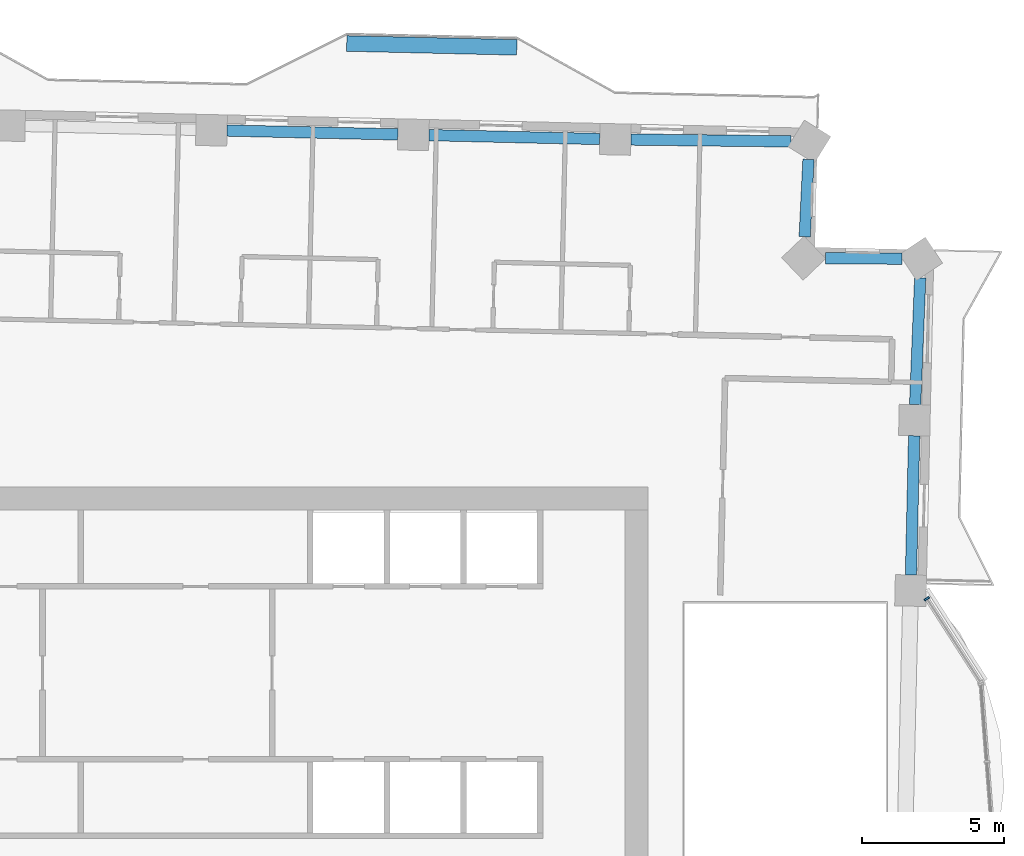
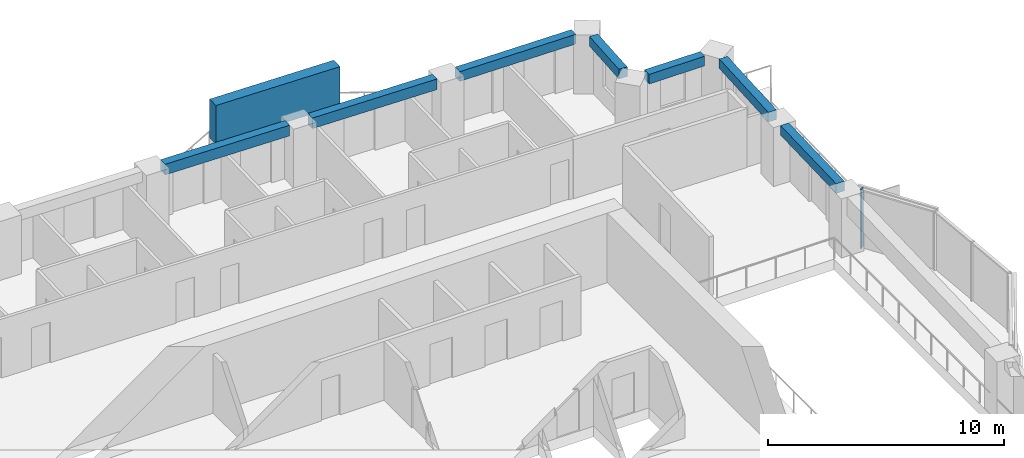
# One storey, part 4 of 16: 7 beams, 2 members, 1 element without a shape of its own.
"""IFC4 building model written with IfcOpenShell, lengths in metres."""

from ifc_helpers import new_model, si_unit, direction, frame, origin, origin_2d, place, context, subcontext, project, spatial, rectangle, extrude, material, material_profile, profile_set, type_object, element, aggregate, save


model = new_model("IFC4")

# Units and contexts
model_context = context("Model", 3, precision=1e-05, world=origin(), true_north=direction((0.0, 1.0)))
body_context = subcontext(model_context, "Body", "Model", "MODEL_VIEW")
ifc_project = project(units=[si_unit("LENGTHUNIT", "METRE"), si_unit("AREAUNIT", "SQUARE_METRE"), si_unit("VOLUMEUNIT", "CUBIC_METRE"), si_unit("PLANEANGLEUNIT", "RADIAN"), si_unit("MASSUNIT", "GRAM", prefix="KILO")], contexts=[model_context])

# Site, building, storey
site_placement = place(None, origin())
site = spatial("IfcSite", under=ifc_project, at=site_placement, CompositionType="ELEMENT")
building_placement = place(site_placement, origin())
building = spatial("IfcBuilding", under=site, at=building_placement, Name="Mangrove Gate Tower", CompositionType="ELEMENT")
storey_placement = place(building_placement, frame((0.0, 0.0, 215.89990234375)))
storey = spatial("IfcBuildingStorey", under=building, at=storey_placement, Name="L55", CompositionType="ELEMENT", Elevation=215.89990234375)

# Curtain wall, member
ifc_material_1 = material(Name="Aluminium and glass curtain wall", Category="aluminium")
curtain_wall_type = type_object("IfcCurtainWallType", Name="Atrium garden-court glazing wall", PredefinedType="NOTDEFINED", material=ifc_material_1)
curtain_wall_placement = place(storey_placement, origin())
curtain_wall = element("IfcCurtainWall", 1, at=curtain_wall_placement, inside=storey, type_object=curtain_wall_type, Name="Atrium garden-court glazing E1f3", PredefinedType="NOTDEFINED")
ifc_material_2 = material(Name="Aluminium alloy 6063-T6", Category="aluminium")
ifc_material_profile_1 = material_profile(ifc_material_2, rectangle(XDim=0.070068359375, YDim=0.199951171875, at=origin_2d()))
ifc_profile_set_1 = profile_set([ifc_material_profile_1], Name="Aluminium alloy 6063-T6")
member_type_1 = type_object("IfcMemberType", Name="Atrium garden-court glazing mullion 70x200", PredefinedType="MULLION", material=ifc_profile_set_1)
member_1_placement = place(storey_placement, frame((24.4443359375, 7.662109375, 0.0), z_axis=(0.0, 0.0, 1.0), x_axis=(-0.540523066602, 0.841329195067, 0.0)))
member_1 = element("IfcMember", 2, at=member_1_placement, type_object=member_type_1, Name="CWA mullion 2", PredefinedType="MULLION", context=body_context, shape_type="SweptSolid", body=[
    extrude(rectangle(XDim=0.070068359375, YDim=0.199951171875, at=origin_2d()), origin(), (0.0, 0.0, 1.0), 3.050048828125),
])
aggregate(curtain_wall, [member_1])

# Member
ifc_material_3 = material(Name="Planting on aluminium trellis", Category="aluminium")
ifc_material_profile_2 = material_profile(ifc_material_3, rectangle(XDim=0.550048828125, YDim=2.0, at=origin_2d()))
ifc_profile_set_2 = profile_set([ifc_material_profile_2], Name="Planting on aluminium trellis")
member_type_2 = type_object("IfcMemberType", Name="Balcony greenery screen 550x2000", PredefinedType="USERDEFINED", material=ifc_profile_set_2)
member_2_placement = place(storey_placement, frame((3.98193359375, 27.2451171875, 1.800048828125), z_axis=(0.999742255469, -0.022702921152, 0.0), x_axis=(0.022702921152, 0.999742255469, 0.0)))
element("IfcMember", 3, at=member_2_placement, inside=storey, type_object=member_type_2, Name="GREEN SCREEN L55 N0.1", ObjectType="PLANTING", PredefinedType="USERDEFINED", context=body_context, shape_type="SweptSolid", body=[
    extrude(rectangle(XDim=0.550048828125, YDim=2.0, at=origin_2d()), origin(), (0.0, 0.0, 1.0), 6.00048828125),
])

# Beams
ifc_material_4 = material(Name="Concrete C50/60", Category="concrete")
ifc_material_profile_3 = material_profile(ifc_material_4, rectangle(XDim=0.39990234375, YDim=0.5, at=origin_2d()))
ifc_profile_set_3 = profile_set([ifc_material_profile_3], Name="Concrete C50/60")
beam_type_1 = type_object("IfcBeamType", Name="Edge beam RC 400x500 C50/60", PredefinedType="BEAM", material=ifc_profile_set_3)
beam_1_placement = place(storey_placement, frame((23.8837890625, 8.499267578125, 2.800048828125), z_axis=(0.022765440356, 0.999740833779, 0.0), x_axis=(-0.999740833779, 0.022765440356, 0.0)))
element("IfcBeam", 4, at=beam_1_placement, inside=storey, type_object=beam_type_1, Name="Edge beam L55 15", PredefinedType="BEAM", context=body_context, shape_type="SweptSolid", body=[
    extrude(rectangle(XDim=0.39990234375, YDim=0.5, at=origin_2d()), origin(), (0.0, 0.0, 1.0), 4.91162109375),
])
beam_2_placement = place(storey_placement, frame((24.030029296875, 14.509033203125, 2.800048828125), z_axis=(0.040042213433, 0.999197988961, 0.0), x_axis=(-0.999197988961, 0.040042213433, 0.0)))
element("IfcBeam", 5, at=beam_2_placement, inside=storey, type_object=beam_type_1, Name="Edge beam L55 16", PredefinedType="BEAM", context=body_context, shape_type="SweptSolid", body=[
    extrude(rectangle(XDim=0.39990234375, YDim=0.5, at=origin_2d()), origin(), (0.0, 0.0, 1.0), 4.46923828125),
])
beam_3_placement = place(storey_placement, frame((23.573486328125, 19.656494140625, 2.800048828125), z_axis=(-0.999988617371, 0.004771281664, 0.0), x_axis=(-0.004771281664, -0.999988617371, 0.0)))
element("IfcBeam", 6, at=beam_3_placement, inside=storey, type_object=beam_type_1, Name="Edge beam L55 17", PredefinedType="BEAM", context=body_context, shape_type="SweptSolid", body=[
    extrude(rectangle(XDim=0.39990234375, YDim=0.5, at=origin_2d()), origin(), (0.0, 0.0, 1.0), 2.7119140625),
])
beam_4_placement = place(storey_placement, frame((20.134765625, 20.429931640625, 2.800048828125), z_axis=(0.04918823776, 0.998789526009, 0.0), x_axis=(-0.998789526009, 0.04918823776, 0.0)))
element("IfcBeam", 7, at=beam_4_placement, inside=storey, type_object=beam_type_1, Name="Edge beam L55 18", PredefinedType="BEAM", context=body_context, shape_type="SweptSolid", body=[
    extrude(rectangle(XDim=0.39990234375, YDim=0.5, at=origin_2d()), origin(), (0.0, 0.0, 1.0), 2.72998046875),
])
beam_5_placement = place(storey_placement, frame((19.6572265625, 23.792236328125, 2.800048828125), z_axis=(-0.999932997046, 0.011575898195, 0.0), x_axis=(-0.011575898195, -0.999932997046, 0.0)))
element("IfcBeam", 8, at=beam_5_placement, inside=storey, type_object=beam_type_1, Name="Edge beam L55 19", PredefinedType="BEAM", context=body_context, shape_type="SweptSolid", body=[
    extrude(rectangle(XDim=0.39990234375, YDim=0.5, at=origin_2d()), origin(), (0.0, 0.0, 1.0), 5.65234375),
])
ifc_material_5 = material(Name="Concrete C50/60", Category="concrete")
ifc_material_profile_4 = material_profile(ifc_material_5, rectangle(XDim=0.39990234375, YDim=0.550048828125, at=origin_2d()))
ifc_profile_set_4 = profile_set([ifc_material_profile_4], Name="Concrete C50/60")
beam_type_2 = type_object("IfcBeamType", Name="Edge beam RC 400x550 C50/60", PredefinedType="BEAM", material=ifc_profile_set_4)
for number, where, z_axis, x_axis, name in (
    (9, (12.905517578125, 23.876708984375, 2.775146484375), (-0.999741479717, 0.022737056396, 0.0), (-0.022737056396, -0.999741479717, 0.0), "Edge beam L55 20"),
    (10, (5.78369140625, 24.03857421875, 2.775146484375), (-0.999744236189, 0.022615530214, 0.0), (-0.022615530214, -0.999744236189, 0.0), "Edge beam L55 21"),
):
    element("IfcBeam", number, at=place(storey_placement, frame(where, z_axis=z_axis, x_axis=x_axis)), inside=storey, type_object=beam_type_2, Name=name, PredefinedType="BEAM", context=body_context, shape_type="SweptSolid", body=[
        extrude(rectangle(XDim=0.39990234375, YDim=0.550048828125, at=origin_2d()), origin(), (0.0, 0.0, 1.0), 6.023681640625),
    ])

save(model, "model.ifc")
